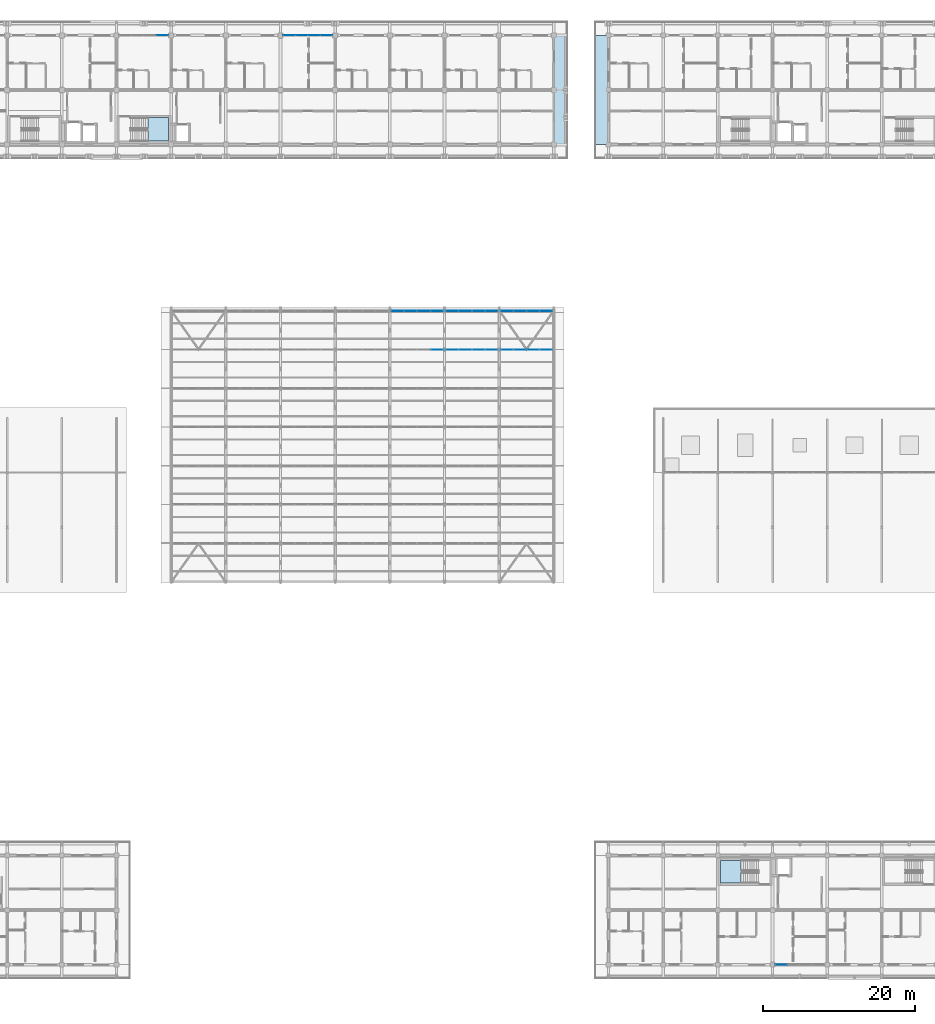
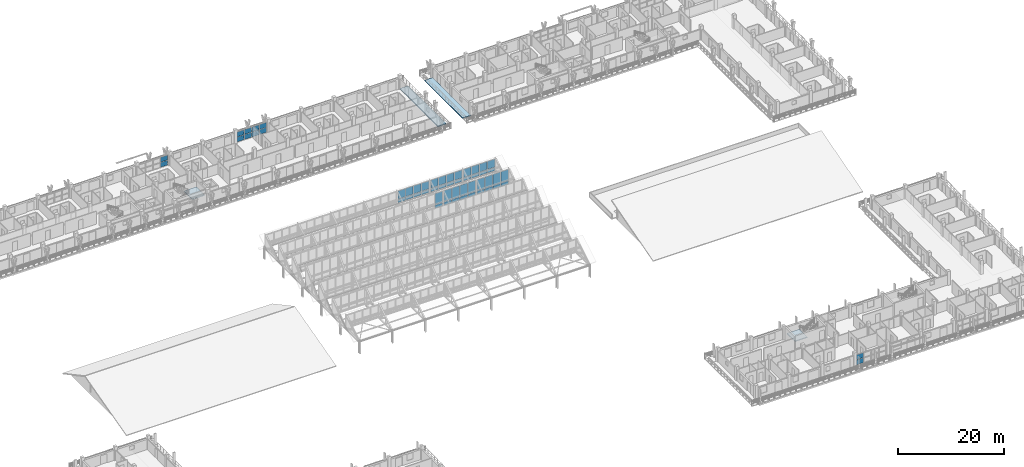
# One storey, part 104 of 157: 54 plates, 4 slabs, 11 elements without a shape of their own.
"""IFC4 building model written with IfcOpenShell, lengths in metres."""

from ifc_helpers import new_model, si_unit, direction, frame, origin, origin_2d, place, context, subcontext, project, spatial, polyline, rectangle, outline, extrude, material, layer, layer_set, type_object, element, aggregate, save


model = new_model("IFC4")

# Units and contexts
model_context = context("Model", 3, precision=1e-05, world=origin(), true_north=direction((0.0, 1.0)))
body_context = subcontext(model_context, "Body", "Model", "MODEL_VIEW")
ifc_project = project(units=[si_unit("LENGTHUNIT", "METRE"), si_unit("AREAUNIT", "SQUARE_METRE"), si_unit("VOLUMEUNIT", "CUBIC_METRE"), si_unit("PLANEANGLEUNIT", "RADIAN"), si_unit("MASSUNIT", "GRAM", prefix="KILO")], contexts=[model_context])

# Site, building, storey
site_placement = place(None, origin())
site = spatial("IfcSite", under=ifc_project, at=site_placement, CompositionType="ELEMENT")
building_placement = place(site_placement, origin())
building = spatial("IfcBuilding", under=site, at=building_placement, Name="Suanplinth Sawtooth Commons", CompositionType="ELEMENT")
storey_placement = place(building_placement, frame((0.0, 0.0, 9.0)))
storey = spatial("IfcBuildingStorey", under=building, at=storey_placement, Name="L02", CompositionType="ELEMENT", Elevation=9.0)

# Curtain wall, plates
ifc_material_1 = material(Name="Anodized aluminium and low-E glazing", Category="aluminium")
curtain_wall_type_1 = type_object("IfcCurtainWallType", Name="CW-06", PredefinedType="USERDEFINED", material=ifc_material_1)
curtain_wall_1_placement = place(storey_placement, origin())
curtain_wall_1 = element("IfcCurtainWall", 1, at=curtain_wall_1_placement, inside=storey, type_object=curtain_wall_type_1, Name="Curtain Wall CW-L02-A-LOUNGE-8", ObjectType="CURTAIN WALL", PredefinedType="USERDEFINED")
ifc_material_2 = material(Name="Tempered low-E double glazing", Category="glass")
ifc_layer_1 = layer(ifc_material_2, 0.028076171875, Name="Vision low-E insulated glazing unit 28mm")
ifc_layer_set_1 = layer_set([ifc_layer_1], Name="Tempered low-E double glazing")
plate_type_1 = type_object("IfcPlateType", Name="PL-05", PredefinedType="CURTAIN_PANEL", material=ifc_layer_set_1)
plate_1_placement = place(storey_placement, frame((63.639892578125, 122.39990234375, 0.06494140625), z_axis=(0.0, 0.0, 1.0), x_axis=(1.0, 0.0, 0.0)))
plate_1 = element("IfcPlate", 2, at=plate_1_placement, type_object=plate_type_1, Name="CW-06 panel 4.1", PredefinedType="CURTAIN_PANEL", context=body_context, shape_type="SweptSolid", body=[
    extrude(rectangle(XDim=1.5400390625, YDim=0.028076171875, at=origin_2d()), origin(), (0.0, 0.0, 1.0), 1.12255859375),
])
plate_2_placement = place(storey_placement, frame((63.639892578125, 122.39990234375, 1.25244140625), z_axis=(0.0, 0.0, 1.0), x_axis=(1.0, 0.0, 0.0)))
plate_2 = element("IfcPlate", 3, at=plate_2_placement, type_object=plate_type_1, Name="CW-06 panel 4.2", PredefinedType="CURTAIN_PANEL", context=body_context, shape_type="SweptSolid", body=[
    extrude(rectangle(XDim=1.5400390625, YDim=0.028076171875, at=origin_2d()), origin(), (0.0, 0.0, 1.0), 1.12255859375),
])
aggregate(curtain_wall_1, [plate_1, plate_2])

curtain_wall_2_placement = place(storey_placement, origin())
curtain_wall_2 = element("IfcCurtainWall", 4, at=curtain_wall_2_placement, inside=storey, type_object=curtain_wall_type_1, Name="Curtain Wall CW-L02-A-LOUNGE-11", ObjectType="CURTAIN WALL", PredefinedType="USERDEFINED")
plate_3_placement = place(storey_placement, frame((80.360107421875, 122.39990234375, 0.06494140625), z_axis=(0.0, 0.0, 1.0), x_axis=(1.0, 0.0, 0.0)))
plate_3 = element("IfcPlate", 5, at=plate_3_placement, type_object=plate_type_1, Name="CW-06 panel 1.1", PredefinedType="CURTAIN_PANEL", context=body_context, shape_type="SweptSolid", body=[
    extrude(rectangle(XDim=1.5400390625, YDim=0.028076171875, at=origin_2d()), origin(), (0.0, 0.0, 1.0), 1.12255859375),
])
plate_4_placement = place(storey_placement, frame((80.360107421875, 122.39990234375, 1.25244140625), z_axis=(0.0, 0.0, 1.0), x_axis=(1.0, 0.0, 0.0)))
plate_4 = element("IfcPlate", 6, at=plate_4_placement, type_object=plate_type_1, Name="CW-06 panel 1.2", PredefinedType="CURTAIN_PANEL", context=body_context, shape_type="SweptSolid", body=[
    extrude(rectangle(XDim=1.5400390625, YDim=0.028076171875, at=origin_2d()), origin(), (0.0, 0.0, 1.0), 1.12255859375),
])
plate_5_placement = place(storey_placement, frame((81.981201171875, 122.39990234375, 0.06494140625), z_axis=(0.0, 0.0, 1.0), x_axis=(1.0, 0.0, 0.0)))
plate_5 = element("IfcPlate", 7, at=plate_5_placement, type_object=plate_type_1, Name="CW-06 panel 2.1", PredefinedType="CURTAIN_PANEL", context=body_context, shape_type="SweptSolid", body=[
    extrude(rectangle(XDim=1.572509765625, YDim=0.028076171875, at=origin_2d()), origin(), (0.0, 0.0, 1.0), 1.12255859375),
])
plate_6_placement = place(storey_placement, frame((81.981201171875, 122.39990234375, 1.25244140625), z_axis=(0.0, 0.0, 1.0), x_axis=(1.0, 0.0, 0.0)))
plate_6 = element("IfcPlate", 8, at=plate_6_placement, type_object=plate_type_1, Name="CW-06 panel 2.2", PredefinedType="CURTAIN_PANEL", context=body_context, shape_type="SweptSolid", body=[
    extrude(rectangle(XDim=1.572509765625, YDim=0.028076171875, at=origin_2d()), origin(), (0.0, 0.0, 1.0), 1.12255859375),
])
plate_7_placement = place(storey_placement, frame((83.61865234375, 122.39990234375, 0.06494140625), z_axis=(0.0, 0.0, 1.0), x_axis=(1.0, 0.0, 0.0)))
plate_7 = element("IfcPlate", 9, at=plate_7_placement, type_object=plate_type_1, Name="CW-06 panel 3.1", PredefinedType="CURTAIN_PANEL", context=body_context, shape_type="SweptSolid", body=[
    extrude(rectangle(XDim=1.572509765625, YDim=0.028076171875, at=origin_2d()), origin(), (0.0, 0.0, 1.0), 1.12255859375),
])
plate_8_placement = place(storey_placement, frame((83.61865234375, 122.39990234375, 1.25244140625), z_axis=(0.0, 0.0, 1.0), x_axis=(1.0, 0.0, 0.0)))
plate_8 = element("IfcPlate", 10, at=plate_8_placement, type_object=plate_type_1, Name="CW-06 panel 3.2", PredefinedType="CURTAIN_PANEL", context=body_context, shape_type="SweptSolid", body=[
    extrude(rectangle(XDim=1.572509765625, YDim=0.028076171875, at=origin_2d()), origin(), (0.0, 0.0, 1.0), 1.12255859375),
])
plate_9_placement = place(storey_placement, frame((85.239990234375, 122.39990234375, 0.06494140625), z_axis=(0.0, 0.0, 1.0), x_axis=(1.0, 0.0, 0.0)))
plate_9 = element("IfcPlate", 11, at=plate_9_placement, type_object=plate_type_1, Name="CW-06 panel 4.1", PredefinedType="CURTAIN_PANEL", context=body_context, shape_type="SweptSolid", body=[
    extrude(rectangle(XDim=1.5400390625, YDim=0.028076171875, at=origin_2d()), origin(), (0.0, 0.0, 1.0), 1.12255859375),
])
plate_10_placement = place(storey_placement, frame((85.239990234375, 122.39990234375, 1.25244140625), z_axis=(0.0, 0.0, 1.0), x_axis=(1.0, 0.0, 0.0)))
plate_10 = element("IfcPlate", 12, at=plate_10_placement, type_object=plate_type_1, Name="CW-06 panel 4.2", PredefinedType="CURTAIN_PANEL", context=body_context, shape_type="SweptSolid", body=[
    extrude(rectangle(XDim=1.5400390625, YDim=0.028076171875, at=origin_2d()), origin(), (0.0, 0.0, 1.0), 1.12255859375),
])
aggregate(curtain_wall_2, [plate_3, plate_4, plate_5, plate_6, plate_7, plate_8, plate_9, plate_10])

curtain_wall_3_placement = place(storey_placement, origin())
curtain_wall_3 = element("IfcCurtainWall", 13, at=curtain_wall_3_placement, inside=storey, type_object=curtain_wall_type_1, Name="Curtain Wall CW-L02-C-LOUNGE-20", ObjectType="CURTAIN WALL", PredefinedType="USERDEFINED")
plate_11_placement = place(storey_placement, frame((145.141357421875, 0.0, 0.06494140625), z_axis=(0.0, 0.0, 1.0), x_axis=(1.0, 0.0, 0.0)))
plate_11 = element("IfcPlate", 14, at=plate_11_placement, type_object=plate_type_1, Name="CW-06 panel 1.1", PredefinedType="CURTAIN_PANEL", context=body_context, shape_type="SweptSolid", body=[
    extrude(rectangle(XDim=1.552490234375, YDim=0.028076171875, at=origin_2d()), origin(), (0.0, 0.0, 1.0), 1.12255859375),
])
plate_12_placement = place(storey_placement, frame((145.141357421875, 0.0, 1.25244140625), z_axis=(0.0, 0.0, 1.0), x_axis=(1.0, 0.0, 0.0)))
plate_12 = element("IfcPlate", 15, at=plate_12_placement, type_object=plate_type_1, Name="CW-06 panel 1.2", PredefinedType="CURTAIN_PANEL", context=body_context, shape_type="SweptSolid", body=[
    extrude(rectangle(XDim=1.552490234375, YDim=0.028076171875, at=origin_2d()), origin(), (0.0, 0.0, 1.0), 1.12255859375),
])
aggregate(curtain_wall_3, [plate_11, plate_12])

curtain_wall_type_2 = type_object("IfcCurtainWallType", Name="CW-03", PredefinedType="USERDEFINED", material=ifc_material_1)
curtain_wall_4_placement = place(storey_placement, origin())
curtain_wall_4 = element("IfcCurtainWall", 16, at=curtain_wall_4_placement, inside=storey, type_object=curtain_wall_type_2, Name="Curtain Wall CW-SAW-T7-B5", ObjectType="CURTAIN WALL", PredefinedType="USERDEFINED")
ifc_material_3 = material(Name="Diffused north-light laminated glazing", Category="glass")
ifc_layer_2 = layer(ifc_material_3, 0.02587890625, Name="Sawtooth north-light diffused glazing panel 26mm")
ifc_layer_set_2 = layer_set([ifc_layer_2], Name="Diffused north-light laminated glazing")
plate_type_2 = type_object("IfcPlateType", Name="PL-07", PredefinedType="CURTAIN_PANEL", material=ifc_layer_set_2)
plate_13_placement = place(storey_placement, frame((94.608642578125, 86.10009765625, 3.054931640625), z_axis=(0.0, 0.0, 1.0), x_axis=(1.0, 0.0, 0.0)))
plate_13 = element("IfcPlate", 17, at=plate_13_placement, type_object=plate_type_2, Name="CW-03 panel 1.1", PredefinedType="CURTAIN_PANEL", context=body_context, shape_type="SweptSolid", body=[
    extrude(rectangle(XDim=1.62744140625, YDim=0.02587890625, at=origin_2d()), origin(), (0.0, 0.0, 1.0), 0.78759765625),
])
plate_14_placement = place(storey_placement, frame((94.608642578125, 86.10009765625, 3.91748046875), z_axis=(0.0, 0.0, 1.0), x_axis=(1.0, 0.0, 0.0)))
plate_14 = element("IfcPlate", 18, at=plate_14_placement, type_object=plate_type_2, Name="CW-03 panel 1.2", PredefinedType="CURTAIN_PANEL", context=body_context, shape_type="SweptSolid", body=[
    extrude(rectangle(XDim=1.62744140625, YDim=0.02587890625, at=origin_2d()), origin(), (0.0, 0.0, 1.0), 1.847412109375),
])
plate_15_placement = place(storey_placement, frame((96.330078125, 86.10009765625, 3.054931640625), z_axis=(0.0, 0.0, 1.0), x_axis=(1.0, 0.0, 0.0)))
plate_15 = element("IfcPlate", 19, at=plate_15_placement, type_object=plate_type_2, Name="CW-03 panel 2.1", PredefinedType="CURTAIN_PANEL", context=body_context, shape_type="SweptSolid", body=[
    extrude(rectangle(XDim=1.6650390625, YDim=0.02587890625, at=origin_2d()), origin(), (0.0, 0.0, 1.0), 0.78759765625),
])
plate_16_placement = place(storey_placement, frame((96.330078125, 86.10009765625, 3.91748046875), z_axis=(0.0, 0.0, 1.0), x_axis=(1.0, 0.0, 0.0)))
plate_16 = element("IfcPlate", 20, at=plate_16_placement, type_object=plate_type_2, Name="CW-03 panel 2.2", PredefinedType="CURTAIN_PANEL", context=body_context, shape_type="SweptSolid", body=[
    extrude(rectangle(XDim=1.6650390625, YDim=0.02587890625, at=origin_2d()), origin(), (0.0, 0.0, 1.0), 1.847412109375),
])
plate_17_placement = place(storey_placement, frame((98.070068359375, 86.10009765625, 3.054931640625), z_axis=(0.0, 0.0, 1.0), x_axis=(1.0, 0.0, 0.0)))
plate_17 = element("IfcPlate", 21, at=plate_17_placement, type_object=plate_type_2, Name="CW-03 panel 3.1", PredefinedType="CURTAIN_PANEL", context=body_context, shape_type="SweptSolid", body=[
    extrude(rectangle(XDim=1.6650390625, YDim=0.02587890625, at=origin_2d()), origin(), (0.0, 0.0, 1.0), 0.78759765625),
])
plate_18_placement = place(storey_placement, frame((98.070068359375, 86.10009765625, 3.91748046875), z_axis=(0.0, 0.0, 1.0), x_axis=(1.0, 0.0, 0.0)))
plate_18 = element("IfcPlate", 22, at=plate_18_placement, type_object=plate_type_2, Name="CW-03 panel 3.2", PredefinedType="CURTAIN_PANEL", context=body_context, shape_type="SweptSolid", body=[
    extrude(rectangle(XDim=1.6650390625, YDim=0.02587890625, at=origin_2d()), origin(), (0.0, 0.0, 1.0), 1.847412109375),
])
plate_19_placement = place(storey_placement, frame((99.791259765625, 86.10009765625, 3.054931640625), z_axis=(0.0, 0.0, 1.0), x_axis=(1.0, 0.0, 0.0)))
plate_19 = element("IfcPlate", 23, at=plate_19_placement, type_object=plate_type_2, Name="CW-03 panel 4.1", PredefinedType="CURTAIN_PANEL", context=body_context, shape_type="SweptSolid", body=[
    extrude(rectangle(XDim=1.62744140625, YDim=0.02587890625, at=origin_2d()), origin(), (0.0, 0.0, 1.0), 0.78759765625),
])
plate_20_placement = place(storey_placement, frame((99.791259765625, 86.10009765625, 3.91748046875), z_axis=(0.0, 0.0, 1.0), x_axis=(1.0, 0.0, 0.0)))
plate_20 = element("IfcPlate", 24, at=plate_20_placement, type_object=plate_type_2, Name="CW-03 panel 4.2", PredefinedType="CURTAIN_PANEL", context=body_context, shape_type="SweptSolid", body=[
    extrude(rectangle(XDim=1.62744140625, YDim=0.02587890625, at=origin_2d()), origin(), (0.0, 0.0, 1.0), 1.847412109375),
])
aggregate(curtain_wall_4, [plate_13, plate_14, plate_15, plate_16, plate_17, plate_18, plate_19, plate_20])

curtain_wall_5_placement = place(storey_placement, origin())
curtain_wall_5 = element("IfcCurtainWall", 25, at=curtain_wall_5_placement, inside=storey, type_object=curtain_wall_type_2, Name="Curtain Wall CW-SAW-T7-B6", ObjectType="CURTAIN WALL", PredefinedType="USERDEFINED")
plate_21_placement = place(storey_placement, frame((101.808837890625, 86.10009765625, 3.054931640625), z_axis=(0.0, 0.0, 1.0), x_axis=(1.0, 0.0, 0.0)))
plate_21 = element("IfcPlate", 26, at=plate_21_placement, type_object=plate_type_2, Name="CW-03 panel 1.1", PredefinedType="CURTAIN_PANEL", context=body_context, shape_type="SweptSolid", body=[
    extrude(rectangle(XDim=1.62744140625, YDim=0.02587890625, at=origin_2d()), origin(), (0.0, 0.0, 1.0), 0.78759765625),
])
plate_22_placement = place(storey_placement, frame((101.808837890625, 86.10009765625, 3.91748046875), z_axis=(0.0, 0.0, 1.0), x_axis=(1.0, 0.0, 0.0)))
plate_22 = element("IfcPlate", 27, at=plate_22_placement, type_object=plate_type_2, Name="CW-03 panel 1.2", PredefinedType="CURTAIN_PANEL", context=body_context, shape_type="SweptSolid", body=[
    extrude(rectangle(XDim=1.62744140625, YDim=0.02587890625, at=origin_2d()), origin(), (0.0, 0.0, 1.0), 1.847412109375),
])
plate_23_placement = place(storey_placement, frame((103.530029296875, 86.10009765625, 3.054931640625), z_axis=(0.0, 0.0, 1.0), x_axis=(1.0, 0.0, 0.0)))
plate_23 = element("IfcPlate", 28, at=plate_23_placement, type_object=plate_type_2, Name="CW-03 panel 2.1", PredefinedType="CURTAIN_PANEL", context=body_context, shape_type="SweptSolid", body=[
    extrude(rectangle(XDim=1.6650390625, YDim=0.02587890625, at=origin_2d()), origin(), (0.0, 0.0, 1.0), 0.78759765625),
])
plate_24_placement = place(storey_placement, frame((103.530029296875, 86.10009765625, 3.91748046875), z_axis=(0.0, 0.0, 1.0), x_axis=(1.0, 0.0, 0.0)))
plate_24 = element("IfcPlate", 29, at=plate_24_placement, type_object=plate_type_2, Name="CW-03 panel 2.2", PredefinedType="CURTAIN_PANEL", context=body_context, shape_type="SweptSolid", body=[
    extrude(rectangle(XDim=1.6650390625, YDim=0.02587890625, at=origin_2d()), origin(), (0.0, 0.0, 1.0), 1.847412109375),
])
plate_25_placement = place(storey_placement, frame((105.27001953125, 86.10009765625, 3.054931640625), z_axis=(0.0, 0.0, 1.0), x_axis=(1.0, 0.0, 0.0)))
plate_25 = element("IfcPlate", 30, at=plate_25_placement, type_object=plate_type_2, Name="CW-03 panel 3.1", PredefinedType="CURTAIN_PANEL", context=body_context, shape_type="SweptSolid", body=[
    extrude(rectangle(XDim=1.6650390625, YDim=0.02587890625, at=origin_2d()), origin(), (0.0, 0.0, 1.0), 0.78759765625),
])
plate_26_placement = place(storey_placement, frame((105.27001953125, 86.10009765625, 3.91748046875), z_axis=(0.0, 0.0, 1.0), x_axis=(1.0, 0.0, 0.0)))
plate_26 = element("IfcPlate", 31, at=plate_26_placement, type_object=plate_type_2, Name="CW-03 panel 3.2", PredefinedType="CURTAIN_PANEL", context=body_context, shape_type="SweptSolid", body=[
    extrude(rectangle(XDim=1.6650390625, YDim=0.02587890625, at=origin_2d()), origin(), (0.0, 0.0, 1.0), 1.847412109375),
])
plate_27_placement = place(storey_placement, frame((106.9912109375, 86.10009765625, 3.054931640625), z_axis=(0.0, 0.0, 1.0), x_axis=(1.0, 0.0, 0.0)))
plate_27 = element("IfcPlate", 32, at=plate_27_placement, type_object=plate_type_2, Name="CW-03 panel 4.1", PredefinedType="CURTAIN_PANEL", context=body_context, shape_type="SweptSolid", body=[
    extrude(rectangle(XDim=1.62744140625, YDim=0.02587890625, at=origin_2d()), origin(), (0.0, 0.0, 1.0), 0.78759765625),
])
plate_28_placement = place(storey_placement, frame((106.9912109375, 86.10009765625, 3.91748046875), z_axis=(0.0, 0.0, 1.0), x_axis=(1.0, 0.0, 0.0)))
plate_28 = element("IfcPlate", 33, at=plate_28_placement, type_object=plate_type_2, Name="CW-03 panel 4.2", PredefinedType="CURTAIN_PANEL", context=body_context, shape_type="SweptSolid", body=[
    extrude(rectangle(XDim=1.62744140625, YDim=0.02587890625, at=origin_2d()), origin(), (0.0, 0.0, 1.0), 1.847412109375),
])
aggregate(curtain_wall_5, [plate_21, plate_22, plate_23, plate_24, plate_25, plate_26, plate_27, plate_28])

curtain_wall_6_placement = place(storey_placement, origin())
curtain_wall_6 = element("IfcCurtainWall", 34, at=curtain_wall_6_placement, inside=storey, type_object=curtain_wall_type_2, Name="Curtain Wall CW-SAW-T7-B7", ObjectType="CURTAIN WALL", PredefinedType="USERDEFINED")
plate_29_placement = place(storey_placement, frame((109.0087890625, 86.10009765625, 3.054931640625), z_axis=(0.0, 0.0, 1.0), x_axis=(1.0, 0.0, 0.0)))
plate_29 = element("IfcPlate", 35, at=plate_29_placement, type_object=plate_type_2, Name="CW-03 panel 1.1", PredefinedType="CURTAIN_PANEL", context=body_context, shape_type="SweptSolid", body=[
    extrude(rectangle(XDim=1.62744140625, YDim=0.02587890625, at=origin_2d()), origin(), (0.0, 0.0, 1.0), 0.78759765625),
])
plate_30_placement = place(storey_placement, frame((109.0087890625, 86.10009765625, 3.91748046875), z_axis=(0.0, 0.0, 1.0), x_axis=(1.0, 0.0, 0.0)))
plate_30 = element("IfcPlate", 36, at=plate_30_placement, type_object=plate_type_2, Name="CW-03 panel 1.2", PredefinedType="CURTAIN_PANEL", context=body_context, shape_type="SweptSolid", body=[
    extrude(rectangle(XDim=1.62744140625, YDim=0.02587890625, at=origin_2d()), origin(), (0.0, 0.0, 1.0), 1.847412109375),
])
plate_31_placement = place(storey_placement, frame((110.72998046875, 86.10009765625, 3.054931640625), z_axis=(0.0, 0.0, 1.0), x_axis=(1.0, 0.0, 0.0)))
plate_31 = element("IfcPlate", 37, at=plate_31_placement, type_object=plate_type_2, Name="CW-03 panel 2.1", PredefinedType="CURTAIN_PANEL", context=body_context, shape_type="SweptSolid", body=[
    extrude(rectangle(XDim=1.6650390625, YDim=0.02587890625, at=origin_2d()), origin(), (0.0, 0.0, 1.0), 0.78759765625),
])
plate_32_placement = place(storey_placement, frame((110.72998046875, 86.10009765625, 3.91748046875), z_axis=(0.0, 0.0, 1.0), x_axis=(1.0, 0.0, 0.0)))
plate_32 = element("IfcPlate", 38, at=plate_32_placement, type_object=plate_type_2, Name="CW-03 panel 2.2", PredefinedType="CURTAIN_PANEL", context=body_context, shape_type="SweptSolid", body=[
    extrude(rectangle(XDim=1.6650390625, YDim=0.02587890625, at=origin_2d()), origin(), (0.0, 0.0, 1.0), 1.847412109375),
])
plate_33_placement = place(storey_placement, frame((112.469970703125, 86.10009765625, 3.054931640625), z_axis=(0.0, 0.0, 1.0), x_axis=(1.0, 0.0, 0.0)))
plate_33 = element("IfcPlate", 39, at=plate_33_placement, type_object=plate_type_2, Name="CW-03 panel 3.1", PredefinedType="CURTAIN_PANEL", context=body_context, shape_type="SweptSolid", body=[
    extrude(rectangle(XDim=1.6650390625, YDim=0.02587890625, at=origin_2d()), origin(), (0.0, 0.0, 1.0), 0.78759765625),
])
plate_34_placement = place(storey_placement, frame((112.469970703125, 86.10009765625, 3.91748046875), z_axis=(0.0, 0.0, 1.0), x_axis=(1.0, 0.0, 0.0)))
plate_34 = element("IfcPlate", 40, at=plate_34_placement, type_object=plate_type_2, Name="CW-03 panel 3.2", PredefinedType="CURTAIN_PANEL", context=body_context, shape_type="SweptSolid", body=[
    extrude(rectangle(XDim=1.6650390625, YDim=0.02587890625, at=origin_2d()), origin(), (0.0, 0.0, 1.0), 1.847412109375),
])
plate_35_placement = place(storey_placement, frame((114.191162109375, 86.10009765625, 3.054931640625), z_axis=(0.0, 0.0, 1.0), x_axis=(1.0, 0.0, 0.0)))
plate_35 = element("IfcPlate", 41, at=plate_35_placement, type_object=plate_type_2, Name="CW-03 panel 4.1", PredefinedType="CURTAIN_PANEL", context=body_context, shape_type="SweptSolid", body=[
    extrude(rectangle(XDim=1.62744140625, YDim=0.02587890625, at=origin_2d()), origin(), (0.0, 0.0, 1.0), 0.78759765625),
])
plate_36_placement = place(storey_placement, frame((114.191162109375, 86.10009765625, 3.91748046875), z_axis=(0.0, 0.0, 1.0), x_axis=(1.0, 0.0, 0.0)))
plate_36 = element("IfcPlate", 42, at=plate_36_placement, type_object=plate_type_2, Name="CW-03 panel 4.2", PredefinedType="CURTAIN_PANEL", context=body_context, shape_type="SweptSolid", body=[
    extrude(rectangle(XDim=1.62744140625, YDim=0.02587890625, at=origin_2d()), origin(), (0.0, 0.0, 1.0), 1.847412109375),
])
aggregate(curtain_wall_6, [plate_29, plate_30, plate_31, plate_32, plate_33, plate_34, plate_35, plate_36])

curtain_wall_7_placement = place(storey_placement, origin())
curtain_wall_7 = element("IfcCurtainWall", 43, at=curtain_wall_7_placement, inside=storey, type_object=curtain_wall_type_2, Name="Curtain Wall CW-SAW-T6-B5", ObjectType="CURTAIN WALL", PredefinedType="USERDEFINED")
ifc_material_4 = material(Name="Diffused solar-control north-light glazing", Category="glass")
ifc_layer_3 = layer(ifc_material_4, 0.033935546875, Name="Sawtooth upper diffused glazing panel 34mm")
ifc_layer_set_3 = layer_set([ifc_layer_3], Name="Diffused solar-control north-light glazing")
plate_type_3 = type_object("IfcPlateType", Name="PL-09", PredefinedType="CURTAIN_PANEL", material=ifc_layer_set_3)
plate_37_placement = place(storey_placement, frame((99.791259765625, 81.0, 3.054931640625), z_axis=(0.0, 0.0, 1.0), x_axis=(1.0, 0.0, 0.0)))
plate_37 = element("IfcPlate", 44, at=plate_37_placement, type_object=plate_type_3, Name="CW-03 panel 4.1", PredefinedType="CURTAIN_PANEL", context=body_context, shape_type="SweptSolid", body=[
    extrude(rectangle(XDim=1.62744140625, YDim=0.033935546875, at=origin_2d()), origin(), (0.0, 0.0, 1.0), 0.78759765625),
])
plate_38_placement = place(storey_placement, frame((99.791259765625, 81.0, 3.91748046875), z_axis=(0.0, 0.0, 1.0), x_axis=(1.0, 0.0, 0.0)))
plate_38 = element("IfcPlate", 45, at=plate_38_placement, type_object=plate_type_3, Name="CW-03 panel 4.2", PredefinedType="CURTAIN_PANEL", context=body_context, shape_type="SweptSolid", body=[
    extrude(rectangle(XDim=1.62744140625, YDim=0.033935546875, at=origin_2d()), origin(), (0.0, 0.0, 1.0), 2.547607421875),
])
aggregate(curtain_wall_7, [plate_37, plate_38])

curtain_wall_8_placement = place(storey_placement, origin())
curtain_wall_8 = element("IfcCurtainWall", 46, at=curtain_wall_8_placement, inside=storey, type_object=curtain_wall_type_2, Name="Curtain Wall CW-SAW-T6-B6", ObjectType="CURTAIN WALL", PredefinedType="USERDEFINED")
plate_39_placement = place(storey_placement, frame((101.808837890625, 81.0, 3.054931640625), z_axis=(0.0, 0.0, 1.0), x_axis=(1.0, 0.0, 0.0)))
plate_39 = element("IfcPlate", 47, at=plate_39_placement, type_object=plate_type_3, Name="CW-03 panel 1.1", PredefinedType="CURTAIN_PANEL", context=body_context, shape_type="SweptSolid", body=[
    extrude(rectangle(XDim=1.62744140625, YDim=0.033935546875, at=origin_2d()), origin(), (0.0, 0.0, 1.0), 0.78759765625),
])
plate_40_placement = place(storey_placement, frame((101.808837890625, 81.0, 3.91748046875), z_axis=(0.0, 0.0, 1.0), x_axis=(1.0, 0.0, 0.0)))
plate_40 = element("IfcPlate", 48, at=plate_40_placement, type_object=plate_type_3, Name="CW-03 panel 1.2", PredefinedType="CURTAIN_PANEL", context=body_context, shape_type="SweptSolid", body=[
    extrude(rectangle(XDim=1.62744140625, YDim=0.033935546875, at=origin_2d()), origin(), (0.0, 0.0, 1.0), 2.547607421875),
])
plate_41_placement = place(storey_placement, frame((103.530029296875, 81.0, 3.054931640625), z_axis=(0.0, 0.0, 1.0), x_axis=(1.0, 0.0, 0.0)))
plate_41 = element("IfcPlate", 49, at=plate_41_placement, type_object=plate_type_3, Name="CW-03 panel 2.1", PredefinedType="CURTAIN_PANEL", context=body_context, shape_type="SweptSolid", body=[
    extrude(rectangle(XDim=1.6650390625, YDim=0.033935546875, at=origin_2d()), origin(), (0.0, 0.0, 1.0), 0.78759765625),
])
plate_42_placement = place(storey_placement, frame((103.530029296875, 81.0, 3.91748046875), z_axis=(0.0, 0.0, 1.0), x_axis=(1.0, 0.0, 0.0)))
plate_42 = element("IfcPlate", 50, at=plate_42_placement, type_object=plate_type_3, Name="CW-03 panel 2.2", PredefinedType="CURTAIN_PANEL", context=body_context, shape_type="SweptSolid", body=[
    extrude(rectangle(XDim=1.6650390625, YDim=0.033935546875, at=origin_2d()), origin(), (0.0, 0.0, 1.0), 2.547607421875),
])
plate_43_placement = place(storey_placement, frame((105.27001953125, 81.0, 3.054931640625), z_axis=(0.0, 0.0, 1.0), x_axis=(1.0, 0.0, 0.0)))
plate_43 = element("IfcPlate", 51, at=plate_43_placement, type_object=plate_type_3, Name="CW-03 panel 3.1", PredefinedType="CURTAIN_PANEL", context=body_context, shape_type="SweptSolid", body=[
    extrude(rectangle(XDim=1.6650390625, YDim=0.033935546875, at=origin_2d()), origin(), (0.0, 0.0, 1.0), 0.78759765625),
])
plate_44_placement = place(storey_placement, frame((105.27001953125, 81.0, 3.91748046875), z_axis=(0.0, 0.0, 1.0), x_axis=(1.0, 0.0, 0.0)))
plate_44 = element("IfcPlate", 52, at=plate_44_placement, type_object=plate_type_3, Name="CW-03 panel 3.2", PredefinedType="CURTAIN_PANEL", context=body_context, shape_type="SweptSolid", body=[
    extrude(rectangle(XDim=1.6650390625, YDim=0.033935546875, at=origin_2d()), origin(), (0.0, 0.0, 1.0), 2.547607421875),
])
plate_45_placement = place(storey_placement, frame((106.9912109375, 81.0, 3.054931640625), z_axis=(0.0, 0.0, 1.0), x_axis=(1.0, 0.0, 0.0)))
plate_45 = element("IfcPlate", 53, at=plate_45_placement, type_object=plate_type_3, Name="CW-03 panel 4.1", PredefinedType="CURTAIN_PANEL", context=body_context, shape_type="SweptSolid", body=[
    extrude(rectangle(XDim=1.62744140625, YDim=0.033935546875, at=origin_2d()), origin(), (0.0, 0.0, 1.0), 0.78759765625),
])
plate_46_placement = place(storey_placement, frame((106.9912109375, 81.0, 3.91748046875), z_axis=(0.0, 0.0, 1.0), x_axis=(1.0, 0.0, 0.0)))
plate_46 = element("IfcPlate", 54, at=plate_46_placement, type_object=plate_type_3, Name="CW-03 panel 4.2", PredefinedType="CURTAIN_PANEL", context=body_context, shape_type="SweptSolid", body=[
    extrude(rectangle(XDim=1.62744140625, YDim=0.033935546875, at=origin_2d()), origin(), (0.0, 0.0, 1.0), 2.547607421875),
])
aggregate(curtain_wall_8, [plate_39, plate_40, plate_41, plate_42, plate_43, plate_44, plate_45, plate_46])

curtain_wall_9_placement = place(storey_placement, origin())
curtain_wall_9 = element("IfcCurtainWall", 55, at=curtain_wall_9_placement, inside=storey, type_object=curtain_wall_type_2, Name="Curtain Wall CW-SAW-T6-B7", ObjectType="CURTAIN WALL", PredefinedType="USERDEFINED")
plate_47_placement = place(storey_placement, frame((109.0087890625, 81.0, 3.054931640625), z_axis=(0.0, 0.0, 1.0), x_axis=(1.0, 0.0, 0.0)))
plate_47 = element("IfcPlate", 56, at=plate_47_placement, type_object=plate_type_3, Name="CW-03 panel 1.1", PredefinedType="CURTAIN_PANEL", context=body_context, shape_type="SweptSolid", body=[
    extrude(rectangle(XDim=1.62744140625, YDim=0.033935546875, at=origin_2d()), origin(), (0.0, 0.0, 1.0), 0.78759765625),
])
plate_48_placement = place(storey_placement, frame((109.0087890625, 81.0, 3.91748046875), z_axis=(0.0, 0.0, 1.0), x_axis=(1.0, 0.0, 0.0)))
plate_48 = element("IfcPlate", 57, at=plate_48_placement, type_object=plate_type_3, Name="CW-03 panel 1.2", PredefinedType="CURTAIN_PANEL", context=body_context, shape_type="SweptSolid", body=[
    extrude(rectangle(XDim=1.62744140625, YDim=0.033935546875, at=origin_2d()), origin(), (0.0, 0.0, 1.0), 2.547607421875),
])
plate_49_placement = place(storey_placement, frame((110.72998046875, 81.0, 3.054931640625), z_axis=(0.0, 0.0, 1.0), x_axis=(1.0, 0.0, 0.0)))
plate_49 = element("IfcPlate", 58, at=plate_49_placement, type_object=plate_type_3, Name="CW-03 panel 2.1", PredefinedType="CURTAIN_PANEL", context=body_context, shape_type="SweptSolid", body=[
    extrude(rectangle(XDim=1.6650390625, YDim=0.033935546875, at=origin_2d()), origin(), (0.0, 0.0, 1.0), 0.78759765625),
])
plate_50_placement = place(storey_placement, frame((110.72998046875, 81.0, 3.91748046875), z_axis=(0.0, 0.0, 1.0), x_axis=(1.0, 0.0, 0.0)))
plate_50 = element("IfcPlate", 59, at=plate_50_placement, type_object=plate_type_3, Name="CW-03 panel 2.2", PredefinedType="CURTAIN_PANEL", context=body_context, shape_type="SweptSolid", body=[
    extrude(rectangle(XDim=1.6650390625, YDim=0.033935546875, at=origin_2d()), origin(), (0.0, 0.0, 1.0), 2.547607421875),
])
plate_51_placement = place(storey_placement, frame((112.469970703125, 81.0, 3.054931640625), z_axis=(0.0, 0.0, 1.0), x_axis=(1.0, 0.0, 0.0)))
plate_51 = element("IfcPlate", 60, at=plate_51_placement, type_object=plate_type_3, Name="CW-03 panel 3.1", PredefinedType="CURTAIN_PANEL", context=body_context, shape_type="SweptSolid", body=[
    extrude(rectangle(XDim=1.6650390625, YDim=0.033935546875, at=origin_2d()), origin(), (0.0, 0.0, 1.0), 0.78759765625),
])
plate_52_placement = place(storey_placement, frame((112.469970703125, 81.0, 3.91748046875), z_axis=(0.0, 0.0, 1.0), x_axis=(1.0, 0.0, 0.0)))
plate_52 = element("IfcPlate", 61, at=plate_52_placement, type_object=plate_type_3, Name="CW-03 panel 3.2", PredefinedType="CURTAIN_PANEL", context=body_context, shape_type="SweptSolid", body=[
    extrude(rectangle(XDim=1.6650390625, YDim=0.033935546875, at=origin_2d()), origin(), (0.0, 0.0, 1.0), 2.547607421875),
])
plate_53_placement = place(storey_placement, frame((114.191162109375, 81.0, 3.054931640625), z_axis=(0.0, 0.0, 1.0), x_axis=(1.0, 0.0, 0.0)))
plate_53 = element("IfcPlate", 62, at=plate_53_placement, type_object=plate_type_3, Name="CW-03 panel 4.1", PredefinedType="CURTAIN_PANEL", context=body_context, shape_type="SweptSolid", body=[
    extrude(rectangle(XDim=1.62744140625, YDim=0.033935546875, at=origin_2d()), origin(), (0.0, 0.0, 1.0), 0.78759765625),
])
plate_54_placement = place(storey_placement, frame((114.191162109375, 81.0, 3.91748046875), z_axis=(0.0, 0.0, 1.0), x_axis=(1.0, 0.0, 0.0)))
plate_54 = element("IfcPlate", 63, at=plate_54_placement, type_object=plate_type_3, Name="CW-03 panel 4.2", PredefinedType="CURTAIN_PANEL", context=body_context, shape_type="SweptSolid", body=[
    extrude(rectangle(XDim=1.62744140625, YDim=0.033935546875, at=origin_2d()), origin(), (0.0, 0.0, 1.0), 2.547607421875),
])
aggregate(curtain_wall_9, [plate_47, plate_48, plate_49, plate_50, plate_51, plate_52, plate_53, plate_54])

# Slabs
ifc_material_5 = material(Name="Precast concrete C40/50", Category="concrete")
ifc_layer_4 = layer(ifc_material_5, 0.179931640625, Name="Wrap-around cantilevered precast balcony slab 180mm")
ifc_layer_set_4 = layer_set([ifc_layer_4], Name="Precast concrete C40/50")
slab_type_1 = type_object("IfcSlabType", Name="S-BL01", PredefinedType="FLOOR", material=ifc_layer_set_4)
slab_1_placement = place(storey_placement, frame((0.0, 0.0, -0.179931640625)))
element("IfcSlab", 64, at=slab_1_placement, inside=storey, type_object=slab_type_1, Name="L02 Block A Wrap-Around Balcony E", PredefinedType="FLOOR", context=body_context, shape_type="SweptSolid", body=[
    extrude(outline(polyline([(117.0, 122.39990234375), (117.0, 108.0), (115.199951171875, 108.0), (115.199951171875, 122.39990234375), (117.0, 122.39990234375)])), origin(), (0.0, 0.0, 1.0), 0.179931640625),
])
slab_2_placement = place(storey_placement, frame((0.0, 0.0, -0.179931640625)))
element("IfcSlab", 65, at=slab_2_placement, inside=storey, type_object=slab_type_1, Name="L02 Block B Wrap-Around Balcony WEND", PredefinedType="FLOOR", context=body_context, shape_type="SweptSolid", body=[
    extrude(outline(polyline([(122.39990234375, 108.0), (120.60009765625, 108.0), (120.60009765625, 122.39990234375), (122.39990234375, 122.39990234375), (122.39990234375, 108.0)])), origin(), (0.0, 0.0, 1.0), 0.179931640625),
])

# Stair, slab
ifc_material_6 = material(Name="Concrete C40/50", Category="concrete")
stair_type_1 = type_object("IfcStairType", Name="ST-03", PredefinedType="USERDEFINED", material=ifc_material_6)
stair_1_placement = place(storey_placement, origin())
stair_1 = element("IfcStair", 66, at=stair_1_placement, inside=storey, type_object=stair_type_1, Name="L02 Exit Stair ST-N2", ObjectType="TWO_RETURN_STAIR", PredefinedType="USERDEFINED")
ifc_layer_5 = layer(ifc_material_6, 0.199951171875, Name="Reinforced concrete stair and ramp landing slab 200mm")
ifc_layer_set_5 = layer_set([ifc_layer_5], Name="Concrete C40/50")
slab_type_2 = type_object("IfcSlabType", Name="S-LD01", PredefinedType="LANDING", material=ifc_layer_set_5)
slab_3_placement = place(storey_placement, frame((0.0, 0.0, 1.39990234375)))
slab_3 = element("IfcSlab", 67, at=slab_3_placement, type_object=slab_type_2, Name="ST-03 landing 1", PredefinedType="LANDING", context=body_context, shape_type="SweptSolid", body=[
    extrude(outline(polyline([(61.72998046875, 108.449951171875), (64.449951171875, 108.449951171875), (64.449951171875, 111.550048828125), (61.72998046875, 111.550048828125), (61.72998046875, 108.449951171875)])), origin(), (0.0, 0.0, 1.0), 0.2001953125),
])
aggregate(stair_1, [slab_3])

stair_type_2 = type_object("IfcStairType", Name="ST-07", PredefinedType="USERDEFINED", material=ifc_material_6)
stair_2_placement = place(storey_placement, origin())
stair_2 = element("IfcStair", 68, at=stair_2_placement, inside=storey, type_object=stair_type_2, Name="L02 Exit Stair ST-S1", ObjectType="TWO_RETURN_STAIR", PredefinedType="USERDEFINED")
slab_4_placement = place(storey_placement, frame((0.0, 0.0, 1.39990234375)))
slab_4 = element("IfcSlab", 69, at=slab_4_placement, type_object=slab_type_2, Name="ST-07 landing 1", PredefinedType="LANDING", context=body_context, shape_type="SweptSolid", body=[
    extrude(outline(polyline([(139.8701171875, 13.75), (137.14990234375, 13.75), (137.14990234375, 10.75), (139.8701171875, 10.75), (139.8701171875, 13.75)])), origin(), (0.0, 0.0, 1.0), 0.2001953125),
])
aggregate(stair_2, [slab_4])

save(model, "model.ifc")
